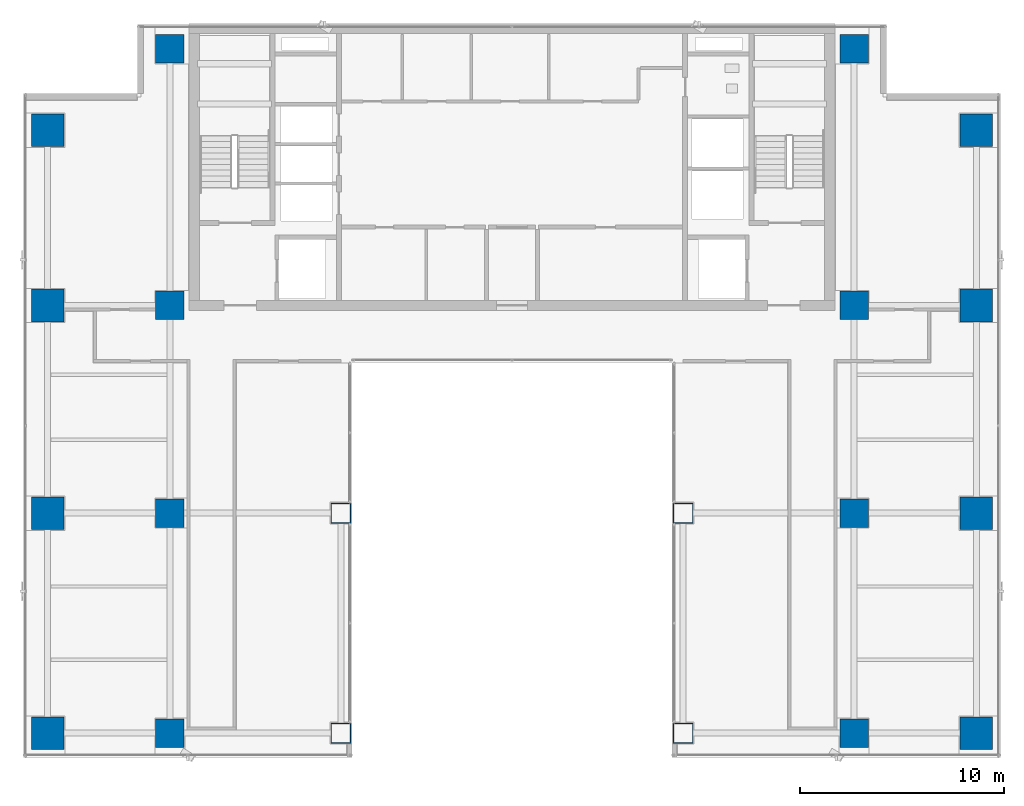
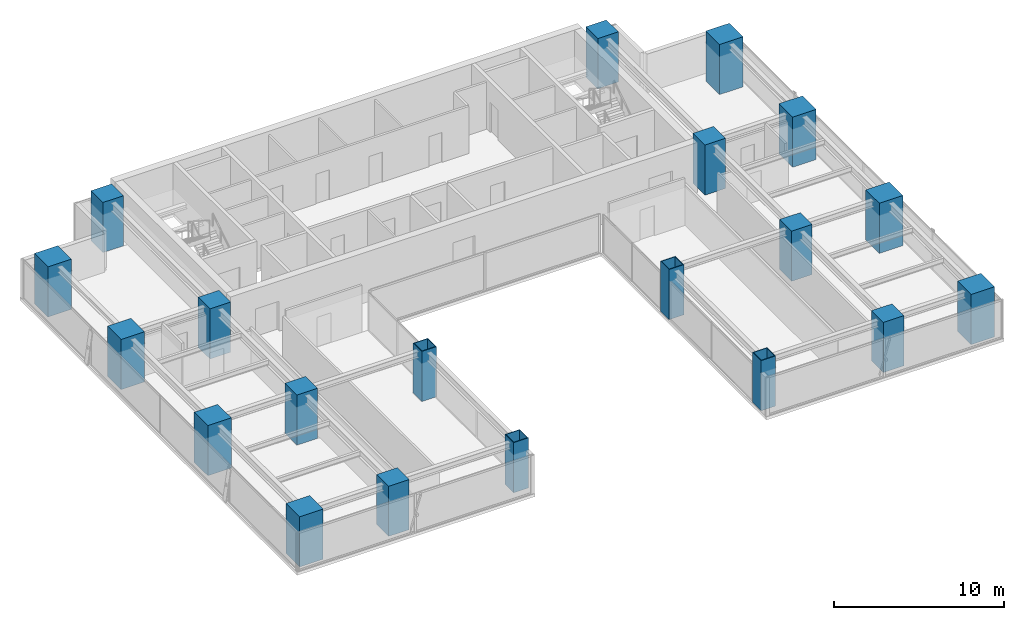
# One storey, part 1 of 29: 20 columns.
"""IFC4 building model written with IfcOpenShell, lengths in metres."""

from ifc_helpers import new_model, si_unit, direction, frame, origin, origin_2d, place, context, subcontext, project, spatial, rectangle, hollow_rectangle, extrude, source, transform, mapped, material, material_profile, profile_set, type_object, element, save


model = new_model("IFC4")

# Units and contexts
model_context = context("Model", 3, precision=1e-05, world=origin(), true_north=direction((0.0, 1.0)))
body_context = subcontext(model_context, "Body", "Model", "MODEL_VIEW")
ifc_project = project(units=[si_unit("LENGTHUNIT", "METRE"), si_unit("AREAUNIT", "SQUARE_METRE"), si_unit("VOLUMEUNIT", "CUBIC_METRE"), si_unit("PLANEANGLEUNIT", "RADIAN"), si_unit("MASSUNIT", "GRAM", prefix="KILO")], contexts=[model_context])

# Site, building, storey
site_placement = place(None, origin())
site = spatial("IfcSite", under=ifc_project, at=site_placement, CompositionType="ELEMENT")
building_placement = place(site_placement, origin())
building = spatial("IfcBuilding", under=site, at=building_placement, Name="Sumidabori Civic Tower", CompositionType="ELEMENT")
storey_placement = place(building_placement, frame((0.0, 0.0, 214.39990234375)))
storey = spatial("IfcBuildingStorey", under=building, at=storey_placement, Name="L55", CompositionType="ELEMENT", Elevation=214.39990234375)

# Columns
ifc_material_1 = material(Name="Concrete C60/75", Category="concrete")
ifc_material_profile_1 = material_profile(ifc_material_1, rectangle(XDim=1.60009765625, YDim=1.60009765625, at=origin_2d()), Name="RC 1600x1600")
ifc_profile_set_1 = profile_set([ifc_material_profile_1], Name="Concrete C60/75")
column_type_1 = type_object("IfcColumnType", Name="CL-MEGA-1600", PredefinedType="COLUMN", material=ifc_profile_set_1)
shared_shape_1 = source(origin(), body_context, "Body", "SweptSolid", [
    extrude(rectangle(XDim=1.60009765625, YDim=1.60009765625, at=origin_2d()), origin(), (0.0, 0.0, 1.0), 3.60009765625),
])
for number, where, z_axis, x_axis, name in (
    (1, (-22.800048828125, -10.800048828125, 0.0), (0.0, 0.0, 1.0), (1.0, 0.0, 0.0), "Column MC-W23-Y11S L55"),
    (2, (-22.800048828125, 0.0, 0.0), (0.0, 0.0, 1.0), (1.0, 0.0, 0.0), "Column MC-W23-Y00 L55"),
    (3, (-22.800048828125, 10.199951171875, 0.0), (0.0, 0.0, 1.0), (1.0, 0.0, 0.0), "Column MC-W23-Y10N L55"),
    (4, (-22.800048828125, 18.800048828125, 0.0), (0.0, 0.0, 1.0), (1.0, 0.0, 0.0), "Column MC-W23-Y19N L55"),
    (5, (22.800048828125, -10.800048828125, 0.0), (0.0, 0.0, 1.0), (1.0, 0.0, 0.0), "Column MC-E23-Y11S L55"),
    (6, (22.800048828125, 0.0, 0.0), (0.0, 0.0, 1.0), (1.0, 0.0, 0.0), "Column MC-E23-Y00 L55"),
    (7, (22.800048828125, 10.199951171875, 0.0), (0.0, 0.0, 1.0), (1.0, 0.0, 0.0), "Column MC-E23-Y10N L55"),
    (8, (22.800048828125, 18.800048828125, 0.0), (0.0, 0.0, 1.0), (1.0, 0.0, 0.0), "Column MC-E23-Y19N L55"),
):
    element("IfcColumn", number, at=place(storey_placement, frame(where, z_axis=z_axis, x_axis=x_axis)), inside=storey, type_object=column_type_1, Name=name, PredefinedType="COLUMN", context=body_context, shape_type="MappedRepresentation", body=[
        mapped(shared_shape_1, transform((0.0, 0.0, 0.0), x_axis=(1.0, 0.0, 0.0), y_axis=(0.0, 1.0, 0.0), z_axis=(0.0, 0.0, 1.0), scale=1.0)),
    ])
ifc_material_2 = material(Name="Steel SM570", Category="steel")
ifc_material_profile_2 = material_profile(ifc_material_2, hollow_rectangle(XDim=1.0, YDim=1.0, WallThickness=0.044921875, at=origin_2d()), Name="SHS 1000x1000x45")
ifc_profile_set_2 = profile_set([ifc_material_profile_2], Name="Steel SM570")
column_type_2 = type_object("IfcColumnType", Name="CL-PORTAL-SHS1000", PredefinedType="COLUMN", material=ifc_profile_set_2)
shared_shape_2 = source(origin(), body_context, "Body", "SweptSolid", [
    extrude(hollow_rectangle(XDim=1.0, YDim=1.0, WallThickness=0.044921875, at=origin_2d()), origin(), (0.0, 0.0, 1.0), 3.60009765625),
])
for number, where, z_axis, x_axis, name in (
    (9, (-8.39990234375, 0.0, 0.0), (0.0, 0.0, 1.0), (1.0, 0.0, 0.0), "Column MC-W08-Y00 L55"),
    (10, (-8.39990234375, -10.800048828125, 0.0), (0.0, 0.0, 1.0), (1.0, 0.0, 0.0), "Column MC-W08-Y11S L55"),
    (11, (8.39990234375, 0.0, 0.0), (0.0, 0.0, 1.0), (1.0, 0.0, 0.0), "Column MC-E08-Y00 L55"),
    (12, (8.39990234375, -10.800048828125, 0.0), (0.0, 0.0, 1.0), (1.0, 0.0, 0.0), "Column MC-E08-Y11S L55"),
):
    element("IfcColumn", number, at=place(storey_placement, frame(where, z_axis=z_axis, x_axis=x_axis)), inside=storey, type_object=column_type_2, Name=name, PredefinedType="COLUMN", context=body_context, shape_type="MappedRepresentation", body=[
        mapped(shared_shape_2, transform((0.0, 0.0, 0.0), x_axis=(1.0, 0.0, 0.0), y_axis=(0.0, 1.0, 0.0), z_axis=(0.0, 0.0, 1.0), scale=1.0)),
    ])
ifc_material_profile_3 = material_profile(ifc_material_1, rectangle(XDim=1.39990234375, YDim=1.39990234375, at=origin_2d()), Name="RC 1400x1400")
ifc_profile_set_3 = profile_set([ifc_material_profile_3], Name="Concrete C60/75")
column_type_3 = type_object("IfcColumnType", Name="CL-MEGA-1400", PredefinedType="COLUMN", material=ifc_profile_set_3)
shared_shape_3 = source(origin(), body_context, "Body", "SweptSolid", [
    extrude(rectangle(XDim=1.39990234375, YDim=1.39990234375, at=origin_2d()), origin(), (0.0, 0.0, 1.0), 3.60009765625),
])
for number, where, z_axis, x_axis, name in (
    (13, (-16.800048828125, -10.800048828125, 0.0), (0.0, 0.0, 1.0), (1.0, 0.0, 0.0), "Column MC-W16-Y11S L55"),
    (14, (-16.800048828125, 0.0, 0.0), (0.0, 0.0, 1.0), (1.0, 0.0, 0.0), "Column MC-W16-Y00 L55"),
    (15, (-16.800048828125, 10.199951171875, 0.0), (0.0, 0.0, 1.0), (1.0, 0.0, 0.0), "Column MC-W16-Y10N L55"),
    (16, (-16.800048828125, 22.800048828125, 0.0), (0.0, 0.0, 1.0), (1.0, 0.0, 0.0), "Column MC-W16-Y23N L55"),
    (17, (16.800048828125, -10.800048828125, 0.0), (0.0, 0.0, 1.0), (1.0, 0.0, 0.0), "Column MC-E16-Y11S L55"),
    (18, (16.800048828125, 0.0, 0.0), (0.0, 0.0, 1.0), (1.0, 0.0, 0.0), "Column MC-E16-Y00 L55"),
    (19, (16.800048828125, 10.199951171875, 0.0), (0.0, 0.0, 1.0), (1.0, 0.0, 0.0), "Column MC-E16-Y10N L55"),
    (20, (16.800048828125, 22.800048828125, 0.0), (0.0, 0.0, 1.0), (1.0, 0.0, 0.0), "Column MC-E16-Y23N L55"),
):
    element("IfcColumn", number, at=place(storey_placement, frame(where, z_axis=z_axis, x_axis=x_axis)), inside=storey, type_object=column_type_3, Name=name, PredefinedType="COLUMN", context=body_context, shape_type="MappedRepresentation", body=[
        mapped(shared_shape_3, transform((0.0, 0.0, 0.0), x_axis=(1.0, 0.0, 0.0), y_axis=(0.0, 1.0, 0.0), z_axis=(0.0, 0.0, 1.0), scale=1.0)),
    ])

save(model, "model.ifc")
